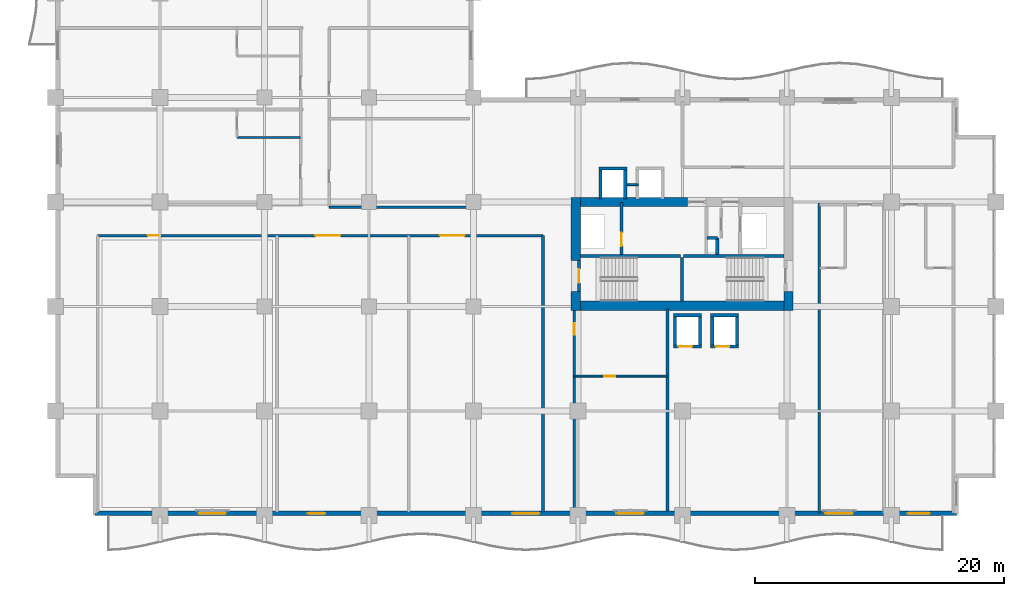
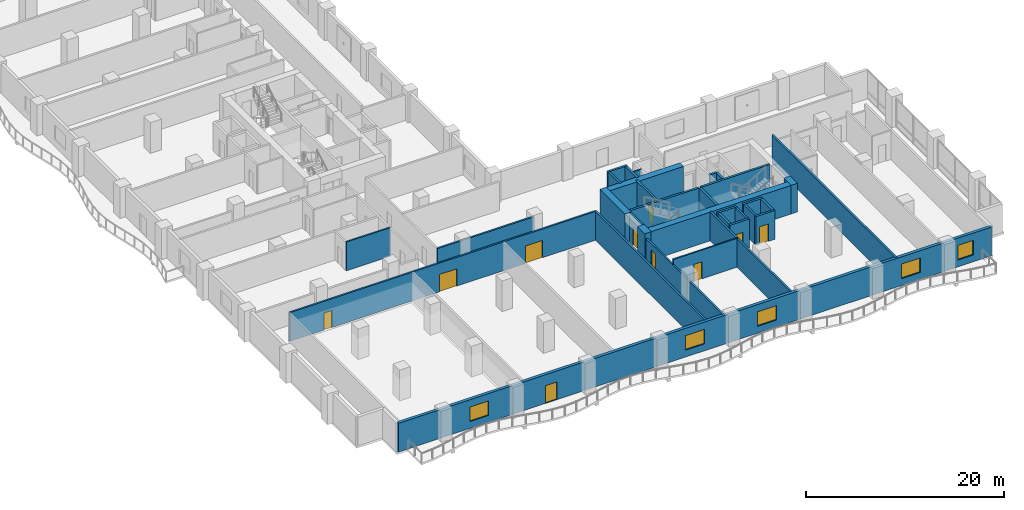
# One storey, part 9 of 24: 33 walls, 10 doors, 5 windows, 15 openings.
"""IFC4 building model written with IfcOpenShell, lengths in metres."""

from ifc_helpers import new_model, si_unit, direction, frame, frame_2d, origin, place, context, subcontext, project, spatial, rectangle, extrude, material, layer, layer_set, type_object, element, fill, save


model = new_model("IFC4")

# Units and contexts
model_context = context("Model", 3, precision=1e-05, world=origin(), true_north=direction((0.0, 1.0)))
body_context = subcontext(model_context, "Body", "Model", "MODEL_VIEW")
ifc_project = project(units=[si_unit("LENGTHUNIT", "METRE"), si_unit("AREAUNIT", "SQUARE_METRE"), si_unit("VOLUMEUNIT", "CUBIC_METRE"), si_unit("PLANEANGLEUNIT", "RADIAN"), si_unit("MASSUNIT", "GRAM", prefix="KILO")], contexts=[model_context])

# Site, building, storey
site_placement = place(None, origin())
site = spatial("IfcSite", under=ifc_project, at=site_placement, CompositionType="ELEMENT")
building_placement = place(site_placement, origin())
building = spatial("IfcBuilding", under=site, at=building_placement, Name="Koriwani Terraces Tower", CompositionType="ELEMENT")
storey_placement = place(building_placement, frame((0.0, 0.0, 149.39990234375)))
storey = spatial("IfcBuildingStorey", under=building, at=storey_placement, Name="L36", CompositionType="ELEMENT", Elevation=149.39990234375)

# Walls
ifc_material_1 = material(Name="Concrete C60/75", Category="concrete")
ifc_layer_1 = layer(ifc_material_1, 0.75, Name="Concrete C60/75")
ifc_layer_set_1 = layer_set([ifc_layer_1], Name="Concrete C60/75")
wall_type_1 = type_object("IfcWallType", Name="WALL_CORE_RC_750", PredefinedType="SHEAR", material=ifc_layer_set_1)
wall_1_placement = place(storey_placement, frame((41.824951171875, 16.5, 0.0), z_axis=(0.0, 0.0, 1.0), x_axis=(0.0, 1.0, 0.0)))
element("IfcWall", 1, at=wall_1_placement, inside=storey, type_object=wall_type_1, Name="L36 East Split Core Shear Wall W1", PredefinedType="SHEAR", context=body_context, shape_type="SweptSolid", body=[
    extrude(rectangle(XDim=1.5, YDim=0.75, at=frame_2d((0.75, 0.0))), origin(), (0.0, 0.0, 1.0), 3.550048828125),
])
wall_2_placement = place(storey_placement, frame((41.824951171875, 20.5, 0.0), z_axis=(0.0, 0.0, 1.0), x_axis=(0.0, 1.0, 0.0)))
element("IfcWall", 2, at=wall_2_placement, inside=storey, type_object=wall_type_1, Name="L36 East Split Core Shear Wall W2", PredefinedType="SHEAR", context=body_context, shape_type="SweptSolid", body=[
    extrude(rectangle(XDim=5.074951171875, YDim=0.75, at=frame_2d((2.53759765625, 0.0))), origin(), (0.0, 0.0, 1.0), 3.550048828125),
])
wall_3_placement = place(storey_placement, frame((58.925048828125, 16.5, 0.0), z_axis=(0.0, 0.0, 1.0), x_axis=(0.0, 1.0, 0.0)))
element("IfcWall", 3, at=wall_3_placement, inside=storey, type_object=wall_type_1, Name="L36 East Split Core Shear Wall E1", PredefinedType="SHEAR", context=body_context, shape_type="SweptSolid", body=[
    extrude(rectangle(XDim=1.5, YDim=0.75, at=frame_2d((0.75, 0.0))), origin(), (0.0, 0.0, 1.0), 3.550048828125),
])
wall_4_placement = place(storey_placement, frame((42.199951171875, 16.875, 0.0), z_axis=(0.0, 0.0, 1.0), x_axis=(1.0, 0.0, 0.0)))
element("IfcWall", 4, at=wall_4_placement, inside=storey, type_object=wall_type_1, Name="L36 East Split Core Shear Wall S1", PredefinedType="SHEAR", context=body_context, shape_type="SweptSolid", body=[
    extrude(rectangle(XDim=16.35009765625, YDim=0.75, at=frame_2d((8.175048828125, 0.0))), origin(), (0.0, 0.0, 1.0), 3.550048828125),
])
wall_5_placement = place(storey_placement, frame((42.199951171875, 25.199951171875, 0.0), z_axis=(0.0, 0.0, 1.0), x_axis=(1.0, 0.0, 0.0)))
element("IfcWall", 5, at=wall_5_placement, inside=storey, type_object=wall_type_1, Name="L36 East Split Core Shear Wall N1", PredefinedType="SHEAR", context=body_context, shape_type="SweptSolid", body=[
    extrude(rectangle(XDim=8.60009765625, YDim=0.75, at=frame_2d((4.300048828125, 0.0))), origin(), (0.0, 0.0, 1.0), 3.550048828125),
])

# Wall, opening, door
ifc_material_2 = material(Name="Autoclaved Cellular Concrete Blockwork", Category="masonry")
ifc_layer_2 = layer(ifc_material_2, 0.199951171875, Name="Autoclaved Cellular Concrete Blockwork")
ifc_layer_set_2 = layer_set([ifc_layer_2], Name="Autoclaved Cellular Concrete Blockwork")
wall_type_2 = type_object("IfcWallType", Name="WALL_CORRIDOR_200", PredefinedType="PARTITIONING", material=ifc_layer_set_2)
wall_6_placement = place(storey_placement, frame((41.699951171875, 0.35009765625, 0.0), z_axis=(0.0, 0.0, 1.0), x_axis=(0.0, 1.0, 0.0)))
wall_6 = element("IfcWall", 6, at=wall_6_placement, inside=storey, type_object=wall_type_2, Name="L36 Interior Wall WREC-EW-L36", PredefinedType="PARTITIONING", context=body_context, shape_type="SweptSolid", body=[
    extrude(rectangle(XDim=16.25, YDim=0.199951171875, at=frame_2d((8.125, 0.0))), origin(), (0.0, 0.0, 1.0), 2.900146484375),
])
opening_1_placement = place(wall_6_placement, frame((14.199951171875, 0.0, 0.0)))
opening_1 = element("IfcOpeningElement", 7, at=opening_1_placement, cuts=wall_6, Name="Opening D-06", PredefinedType="OPENING", context=body_context, shape_type="SweptSolid", body=[
    extrude(rectangle(XDim=0.919921875, YDim=2.10009765625, at=frame_2d((0.4599609375, 1.050048828125))), frame((0.0, 0.10986328125, 0.0), z_axis=(0.0, -1.0, 0.0), x_axis=(1.0, 0.0, 0.0)), (0.0, 0.0, 1.0), 0.219970703125),
])
ifc_material_3 = material(Name="Architectural Oak Fire Door", Category="wood")
door_type_1 = type_object("IfcDoorType", Name="DOOR_ROOM_INT_920X2100", OperationType="NOTDEFINED", PredefinedType="DOOR", material=ifc_material_3)
door_1_placement = place(opening_1_placement, origin())
door_1 = element("IfcDoor", 8, at=door_1_placement, inside=storey, type_object=door_type_1, Name="L36 Housekeeping and Linen Room Door", OperationType="SINGLE_SWING_RIGHT", OverallHeight=2.10009765625, OverallWidth=0.919921875, PredefinedType="DOOR", context=body_context, shape_type="SweptSolid", body=[
    extrude(rectangle(XDim=0.919921875, YDim=2.10009765625, at=frame_2d((0.4599609375, 1.050048828125))), frame((0.0, 0.02490234375, 0.0), z_axis=(0.0, -1.0, 0.0), x_axis=(1.0, 0.0, 0.0)), (0.0, 0.0, 1.0), 0.050048828125),
])
fill(opening_1, door_1)

# Wall
wall_7_placement = place(storey_placement, frame((22.0, 24.800048828125, 0.0), z_axis=(0.0, 0.0, 1.0), x_axis=(1.0, 0.0, 0.0)))
element("IfcWall", 9, at=wall_7_placement, inside=storey, type_object=wall_type_2, Name="L36 Interior Wall WIC2-S-L36", PredefinedType="PARTITIONING", context=body_context, shape_type="SweptSolid", body=[
    extrude(rectangle(XDim=11.300048828125, YDim=0.199951171875, at=frame_2d((5.64990234375, 0.0))), origin(), (0.0, 0.0, 1.0), 3.550048828125),
])

# Wall, openings, doors
wall_8_placement = place(storey_placement, frame((3.39990234375, 22.5, 0.0), z_axis=(0.0, 0.0, 1.0), x_axis=(1.0, 0.0, 0.0)))
wall_8 = element("IfcWall", 10, at=wall_8_placement, inside=storey, type_object=wall_type_2, Name="L36 Interior Wall WC2CLB-L36", PredefinedType="PARTITIONING", context=body_context, shape_type="SweptSolid", body=[
    extrude(rectangle(XDim=35.800048828125, YDim=0.199951171875, at=frame_2d((17.89990234375, 0.0))), origin(), (0.0, 0.0, 1.0), 3.550048828125),
])
opening_2_placement = place(wall_8_placement, frame((4.0, 0.0, 0.0)))
opening_2 = element("IfcOpeningElement", 11, at=opening_2_placement, cuts=wall_8, Name="Opening D-06", PredefinedType="OPENING", context=body_context, shape_type="SweptSolid", body=[
    extrude(rectangle(XDim=0.919921875, YDim=2.10009765625, at=frame_2d((0.4599609375, 1.050048828125))), frame((0.0, 0.10986328125, 0.0), z_axis=(0.0, -1.0, 0.0), x_axis=(1.0, 0.0, 0.0)), (0.0, 0.0, 1.0), 0.219970703125),
])
opening_3_placement = place(wall_8_placement, frame((17.5, 0.0, 0.0)))
opening_3 = element("IfcOpeningElement", 12, at=opening_3_placement, cuts=wall_8, Name="Opening D-02", PredefinedType="OPENING", context=body_context, shape_type="SweptSolid", body=[
    extrude(rectangle(XDim=2.0, YDim=2.14990234375, at=frame_2d((1.0, 1.074951171875))), frame((0.0, 0.10986328125, 0.0), z_axis=(0.0, -1.0, 0.0), x_axis=(1.0, 0.0, 0.0)), (0.0, 0.0, 1.0), 0.219970703125),
])
opening_4_placement = place(wall_8_placement, frame((27.5, 0.0, 0.0)))
opening_4 = element("IfcOpeningElement", 13, at=opening_4_placement, cuts=wall_8, Name="Opening D-02", PredefinedType="OPENING", context=body_context, shape_type="SweptSolid", body=[
    extrude(rectangle(XDim=2.0, YDim=2.14990234375, at=frame_2d((1.0, 1.074951171875))), frame((0.0, 0.10986328125, 0.0), z_axis=(0.0, -1.0, 0.0), x_axis=(1.0, 0.0, 0.0)), (0.0, 0.0, 1.0), 0.219970703125),
])
ifc_material_4 = material(Name="Anodised Bronze Aluminium", Category="aluminium")
door_type_2 = type_object("IfcDoorType", Name="DOOR_ENTRANCE_DOUBLE_2000X2400", OperationType="NOTDEFINED", PredefinedType="DOOR", material=ifc_material_4)
door_2_placement = place(opening_3_placement, origin())
door_2 = element("IfcDoor", 14, at=door_2_placement, inside=storey, type_object=door_type_2, Name="L36 Sky Club Lounge Door", OperationType="SINGLE_SWING_LEFT", OverallHeight=2.14990234375, OverallWidth=2.0, PredefinedType="DOOR", context=body_context, shape_type="SweptSolid", body=[
    extrude(rectangle(XDim=2.0, YDim=2.14990234375, at=frame_2d((1.0, 1.074951171875))), frame((0.0, 0.02490234375, 0.0), z_axis=(0.0, -1.0, 0.0), x_axis=(1.0, 0.0, 0.0)), (0.0, 0.0, 1.0), 0.050048828125),
])
fill(opening_3, door_2)
door_3_placement = place(opening_4_placement, origin())
door_3 = element("IfcDoor", 15, at=door_3_placement, inside=storey, type_object=door_type_2, Name="L36 Private Dining Room Door", OperationType="SINGLE_SWING_LEFT", OverallHeight=2.14990234375, OverallWidth=2.0, PredefinedType="DOOR", context=body_context, shape_type="SweptSolid", body=[
    extrude(rectangle(XDim=2.0, YDim=2.14990234375, at=frame_2d((1.0, 1.074951171875))), frame((0.0, 0.02490234375, 0.0), z_axis=(0.0, -1.0, 0.0), x_axis=(1.0, 0.0, 0.0)), (0.0, 0.0, 1.0), 0.050048828125),
])
fill(opening_4, door_3)
door_4_placement = place(opening_2_placement, origin())
door_4 = element("IfcDoor", 16, at=door_4_placement, inside=storey, type_object=door_type_1, Name="L36 Wine Tasting Cellar Door", OperationType="SINGLE_SWING_RIGHT", OverallHeight=2.10009765625, OverallWidth=0.919921875, PredefinedType="DOOR", context=body_context, shape_type="SweptSolid", body=[
    extrude(rectangle(XDim=0.919921875, YDim=2.10009765625, at=frame_2d((0.4599609375, 1.050048828125))), frame((0.0, 0.02490234375, 0.0), z_axis=(0.0, -1.0, 0.0), x_axis=(1.0, 0.0, 0.0)), (0.0, 0.0, 1.0), 0.050048828125),
])
fill(opening_2, door_4)

# Walls
ifc_layer_3 = layer(ifc_material_2, 0.219970703125, Name="Autoclaved Cellular Concrete Blockwork")
ifc_layer_set_3 = layer_set([ifc_layer_3], Name="Autoclaved Cellular Concrete Blockwork")
wall_type_3 = type_object("IfcWallType", Name="WALL_DEMISING_220", PredefinedType="PARTITIONING", material=ifc_layer_set_3)
wall_9_placement = place(storey_placement, frame((49.199951171875, 0.35009765625, 0.0), z_axis=(0.0, 0.0, 1.0), x_axis=(0.0, 1.0, 0.0)))
element("IfcWall", 17, at=wall_9_placement, inside=storey, type_object=wall_type_3, Name="L36 Interior Wall WREC-EE-L36", PredefinedType="PARTITIONING", context=body_context, shape_type="SweptSolid", body=[
    extrude(rectangle(XDim=16.25, YDim=0.219970703125, at=frame_2d((8.125, 0.0))), origin(), (0.0, 0.0, 1.0), 3.550048828125),
])
wall_10_placement = place(storey_placement, frame((39.199951171875, 0.300048828125, 0.0), z_axis=(0.0, 0.0, 1.0), x_axis=(0.0, 1.0, 0.0)))
element("IfcWall", 18, at=wall_10_placement, inside=storey, type_object=wall_type_3, Name="L36 Interior Wall WC2CLBE-L36", PredefinedType="PARTITIONING", context=body_context, shape_type="SweptSolid", body=[
    extrude(rectangle(XDim=22.199951171875, YDim=0.219970703125, at=frame_2d((11.10009765625, 0.0))), origin(), (0.0, 0.0, 1.0), 3.550048828125),
])
wall_11_placement = place(storey_placement, frame((61.39990234375, 0.199951171875, 0.0), z_axis=(0.0, 0.0, 1.0), x_axis=(0.0, 1.0, 0.0)))
element("IfcWall", 19, at=wall_11_placement, inside=storey, type_object=wall_type_3, Name="L36 Interior Wall WDEM-L36-SE-0", PredefinedType="PARTITIONING", context=body_context, shape_type="SweptSolid", body=[
    extrude(rectangle(XDim=24.97998046875, YDim=0.219970703125, at=frame_2d((12.489990234375, 0.0))), origin(), (0.0, 0.0, 1.0), 3.550048828125),
])

# Wall, openings, door, windows
ifc_material_5 = material(Name="Concrete C50/60", Category="concrete")
ifc_layer_4 = layer(ifc_material_5, 0.35009765625, Name="Concrete C50/60")
ifc_layer_set_4 = layer_set([ifc_layer_4], Name="Concrete C50/60")
wall_type_4 = type_object("IfcWallType", Name="WALL_EXT_BRUTALIST_350", PredefinedType="STANDARD", material=ifc_layer_set_4)
wall_12_placement = place(storey_placement, frame((72.425048828125, 0.175048828125, 0.0), z_axis=(0.0, 0.0, 1.0), x_axis=(-1.0, 0.0, 0.0)))
wall_12 = element("IfcWall", 20, at=wall_12_placement, inside=storey, type_object=wall_type_4, Name="L36 Fair-Faced Brutalist Exterior Wall (S)", PredefinedType="STANDARD", context=body_context, shape_type="SweptSolid", body=[
    extrude(rectangle(XDim=69.25, YDim=0.35009765625, at=frame_2d((34.625, 0.0))), origin(), (0.0, 0.0, 1.0), 3.550048828125),
])
opening_5_placement = place(wall_12_placement, frame((50.72509765625, 0.0, 0.0)))
opening_5 = element("IfcOpeningElement", 21, at=opening_5_placement, cuts=wall_12, Name="Opening D-09", PredefinedType="OPENING", context=body_context, shape_type="SweptSolid", body=[
    extrude(rectangle(XDim=1.39990234375, YDim=2.199951171875, at=frame_2d((0.699951171875, 1.10009765625))), frame((0.0, 0.18505859375, 0.0), z_axis=(0.0, -1.0, 0.0), x_axis=(1.0, 0.0, 0.0)), (0.0, 0.0, 1.0), 0.3701171875),
])
opening_6_placement = place(wall_12_placement, frame((58.72509765625, 0.0, 0.85009765625)))
opening_6 = element("IfcOpeningElement", 22, at=opening_6_placement, cuts=wall_12, Name="Opening W-01", PredefinedType="OPENING", context=body_context, shape_type="SweptSolid", body=[
    extrude(rectangle(XDim=2.199951171875, YDim=1.800048828125, at=frame_2d((1.10009765625, 0.89990234375))), frame((0.0, 0.18505859375, 0.0), z_axis=(0.0, -1.0, 0.0), x_axis=(1.0, 0.0, 0.0)), (0.0, 0.0, 1.0), 0.3701171875),
])
opening_7_placement = place(wall_12_placement, frame((33.52490234375, 0.0, 0.85009765625)))
opening_7 = element("IfcOpeningElement", 23, at=opening_7_placement, cuts=wall_12, Name="Opening W-01", PredefinedType="OPENING", context=body_context, shape_type="SweptSolid", body=[
    extrude(rectangle(XDim=2.199951171875, YDim=1.800048828125, at=frame_2d((1.10009765625, 0.89990234375))), frame((0.0, 0.18505859375, 0.0), z_axis=(0.0, -1.0, 0.0), x_axis=(1.0, 0.0, 0.0)), (0.0, 0.0, 1.0), 0.3701171875),
])
opening_8_placement = place(wall_12_placement, frame((25.125, 0.0, 0.85009765625)))
opening_8 = element("IfcOpeningElement", 24, at=opening_8_placement, cuts=wall_12, Name="Opening W-01", PredefinedType="OPENING", context=body_context, shape_type="SweptSolid", body=[
    extrude(rectangle(XDim=2.199951171875, YDim=1.800048828125, at=frame_2d((1.10009765625, 0.89990234375))), frame((0.0, 0.18505859375, 0.0), z_axis=(0.0, -1.0, 0.0), x_axis=(1.0, 0.0, 0.0)), (0.0, 0.0, 1.0), 0.3701171875),
])
opening_9_placement = place(wall_12_placement, frame((8.324951171875, 0.0, 0.85009765625)))
opening_9 = element("IfcOpeningElement", 25, at=opening_9_placement, cuts=wall_12, Name="Opening W-01", PredefinedType="OPENING", context=body_context, shape_type="SweptSolid", body=[
    extrude(rectangle(XDim=2.199951171875, YDim=1.800048828125, at=frame_2d((1.10009765625, 0.89990234375))), frame((0.0, 0.18505859375, 0.0), z_axis=(0.0, -1.0, 0.0), x_axis=(1.0, 0.0, 0.0)), (0.0, 0.0, 1.0), 0.3701171875),
])
opening_10_placement = place(wall_12_placement, frame((2.125, 0.0, 0.85009765625)))
opening_10 = element("IfcOpeningElement", 26, at=opening_10_placement, cuts=wall_12, Name="Opening W-04", PredefinedType="OPENING", context=body_context, shape_type="SweptSolid", body=[
    extrude(rectangle(XDim=1.800048828125, YDim=1.800048828125, at=frame_2d((0.89990234375, 0.89990234375))), frame((0.0, 0.18505859375, 0.0), z_axis=(0.0, -1.0, 0.0), x_axis=(1.0, 0.0, 0.0)), (0.0, 0.0, 1.0), 0.3701171875),
])
door_type_3 = type_object("IfcDoorType", Name="DOOR_BALCONY_GLAZED_1400X2200", OperationType="NOTDEFINED", PredefinedType="DOOR", material=ifc_material_4)
door_5_placement = place(opening_5_placement, origin())
door_5 = element("IfcDoor", 27, at=door_5_placement, inside=storey, type_object=door_type_3, Name="L36 South Balcony Glazed Door", OperationType="SINGLE_SWING_LEFT", OverallHeight=2.199951171875, OverallWidth=1.39990234375, PredefinedType="DOOR", context=body_context, shape_type="SweptSolid", body=[
    extrude(rectangle(XDim=1.39990234375, YDim=2.199951171875, at=frame_2d((0.699951171875, 1.10009765625))), frame((0.0, 0.02490234375, 0.0), z_axis=(0.0, -1.0, 0.0), x_axis=(1.0, 0.0, 0.0)), (0.0, 0.0, 1.0), 0.050048828125),
])
fill(opening_5, door_5)
ifc_material_6 = material(Name="Tempered Laminated Low-E Glass", Category="glass")
window_type_1 = type_object("IfcWindowType", Name="WIN_HOTEL_STD_2200X1800", PartitioningType="DOUBLE_PANEL_VERTICAL", PredefinedType="WINDOW", material=ifc_material_6)
window_1_placement = place(opening_6_placement, origin())
window_1 = element("IfcWindow", 28, at=window_1_placement, inside=storey, type_object=window_type_1, Name="L36 Exterior Window (S-3)", OverallHeight=1.800048828125, OverallWidth=2.199951171875, PartitioningType="SINGLE_PANEL", PredefinedType="WINDOW", context=body_context, shape_type="SweptSolid", body=[
    extrude(rectangle(XDim=2.199951171875, YDim=1.800048828125, at=frame_2d((1.10009765625, 0.89990234375))), frame((0.0, 0.030029296875, 0.0), z_axis=(0.0, -1.0, 0.0), x_axis=(1.0, 0.0, 0.0)), (0.0, 0.0, 1.0), 0.06005859375),
])
fill(opening_6, window_1)
window_2_placement = place(opening_7_placement, origin())
window_2 = element("IfcWindow", 29, at=window_2_placement, inside=storey, type_object=window_type_1, Name="L36 Exterior Window (S-12)", OverallHeight=1.800048828125, OverallWidth=2.199951171875, PartitioningType="SINGLE_PANEL", PredefinedType="WINDOW", context=body_context, shape_type="SweptSolid", body=[
    extrude(rectangle(XDim=2.199951171875, YDim=1.800048828125, at=frame_2d((1.10009765625, 0.89990234375))), frame((0.0, 0.030029296875, 0.0), z_axis=(0.0, -1.0, 0.0), x_axis=(1.0, 0.0, 0.0)), (0.0, 0.0, 1.0), 0.06005859375),
])
fill(opening_7, window_2)
window_3_placement = place(opening_8_placement, origin())
window_3 = element("IfcWindow", 30, at=window_3_placement, inside=storey, type_object=window_type_1, Name="L36 Exterior Window (S-15)", OverallHeight=1.800048828125, OverallWidth=2.199951171875, PartitioningType="SINGLE_PANEL", PredefinedType="WINDOW", context=body_context, shape_type="SweptSolid", body=[
    extrude(rectangle(XDim=2.199951171875, YDim=1.800048828125, at=frame_2d((1.10009765625, 0.89990234375))), frame((0.0, 0.030029296875, 0.0), z_axis=(0.0, -1.0, 0.0), x_axis=(1.0, 0.0, 0.0)), (0.0, 0.0, 1.0), 0.06005859375),
])
fill(opening_8, window_3)
window_4_placement = place(opening_9_placement, origin())
window_4 = element("IfcWindow", 31, at=window_4_placement, inside=storey, type_object=window_type_1, Name="L36 Exterior Window (S-21)", OverallHeight=1.800048828125, OverallWidth=2.199951171875, PartitioningType="SINGLE_PANEL", PredefinedType="WINDOW", context=body_context, shape_type="SweptSolid", body=[
    extrude(rectangle(XDim=2.199951171875, YDim=1.800048828125, at=frame_2d((1.10009765625, 0.89990234375))), frame((0.0, 0.030029296875, 0.0), z_axis=(0.0, -1.0, 0.0), x_axis=(1.0, 0.0, 0.0)), (0.0, 0.0, 1.0), 0.06005859375),
])
fill(opening_9, window_4)
window_type_2 = type_object("IfcWindowType", Name="WIN_RES_BED_1800X1800", PartitioningType="DOUBLE_PANEL_VERTICAL", PredefinedType="WINDOW", material=ifc_material_6)
window_5_placement = place(opening_10_placement, origin())
window_5 = element("IfcWindow", 32, at=window_5_placement, inside=storey, type_object=window_type_2, Name="L36 Exterior Window (S-R49)", OverallHeight=1.800048828125, OverallWidth=1.800048828125, PartitioningType="SINGLE_PANEL", PredefinedType="WINDOW", context=body_context, shape_type="SweptSolid", body=[
    extrude(rectangle(XDim=1.800048828125, YDim=1.800048828125, at=frame_2d((0.89990234375, 0.89990234375))), frame((0.0, 0.030029296875, 0.0), z_axis=(0.0, -1.0, 0.0), x_axis=(1.0, 0.0, 0.0)), (0.0, 0.0, 1.0), 0.06005859375),
])
fill(opening_10, window_5)

# Walls
ifc_material_7 = material(Name="Fire-Rated Acoustic Gypsum Partition", Category="masonry")
ifc_layer_5 = layer(ifc_material_7, 0.179931640625, Name="Fire-Rated Acoustic Gypsum Partition")
ifc_layer_set_5 = layer_set([ifc_layer_5], Name="Fire-Rated Acoustic Gypsum Partition")
wall_type_5 = type_object("IfcWallType", Name="WALL_PLUMBING_180", PredefinedType="PLUMBINGWALL", material=ifc_layer_set_5)
wall_13_placement = place(storey_placement, frame((14.60009765625, 30.39990234375, 0.0), z_axis=(0.0, 0.0, 1.0), x_axis=(1.0, 0.0, 0.0)))
element("IfcWall", 33, at=wall_13_placement, inside=storey, type_object=wall_type_5, Name="L36 Interior Wall WBTH2-L36-NW-0", PredefinedType="PLUMBINGWALL", context=body_context, shape_type="SweptSolid", body=[
    extrude(rectangle(XDim=5.099853515625, YDim=0.179931640625, at=frame_2d((2.5498046875, 0.0))), origin(), (0.0, 0.0, 1.0), 3.550048828125),
])
ifc_material_8 = material(Name="Concrete C40/50", Category="concrete")
ifc_layer_6 = layer(ifc_material_8, 0.25, Name="Concrete C40/50")
ifc_layer_set_6 = layer_set([ifc_layer_6], Name="Concrete C40/50")
wall_type_6 = type_object("IfcWallType", Name="WALL_SHAFT_RATED_250", PredefinedType="SOLIDWALL", material=ifc_layer_set_6)
for number, where, z_axis, x_axis, name in (
    (34, (42.199951171875, 20.875, 0.0), (0.0, 0.0, 1.0), (1.0, 0.0, 0.0), "L36 East Split Core Web Wall MID1"),
    (35, (50.5, 20.875, 0.0), (0.0, 0.0, 1.0), (1.0, 0.0, 0.0), "L36 East Split Core Web Wall MID2"),
):
    element("IfcWall", number, at=place(storey_placement, frame(where, z_axis=z_axis, x_axis=x_axis)), inside=storey, type_object=wall_type_6, Name=name, PredefinedType="SOLIDWALL", context=body_context, shape_type="SweptSolid", body=[
        extrude(rectangle(XDim=8.050048828125, YDim=0.25, at=frame_2d((4.02490234375, 0.0))), origin(), (0.0, 0.0, 1.0), 3.550048828125),
    ])
wall_14_placement = place(storey_placement, frame((50.375, 17.25, 0.0), z_axis=(0.0, 0.0, 1.0), x_axis=(0.0, 1.0, 0.0)))
element("IfcWall", 36, at=wall_14_placement, inside=storey, type_object=wall_type_6, Name="L36 East Split Core Stair Dividing Wall", PredefinedType="SOLIDWALL", context=body_context, shape_type="SweptSolid", body=[
    extrude(rectangle(XDim=3.5, YDim=0.25, at=frame_2d((1.75, 0.0))), origin(), (0.0, 0.0, 1.0), 3.550048828125),
])

# Wall, opening, door
wall_15_placement = place(storey_placement, frame((42.074951171875, 18.0, 0.0), z_axis=(0.0, 0.0, 1.0), x_axis=(0.0, 1.0, 0.0)))
wall_15 = element("IfcWall", 37, at=wall_15_placement, inside=storey, type_object=wall_type_6, Name="L36 Interior Wall WIN-CE-L36-STW", PredefinedType="SOLIDWALL", context=body_context, shape_type="SweptSolid", body=[
    extrude(rectangle(XDim=2.5, YDim=0.25, at=frame_2d((1.25, 0.0))), origin(), (0.0, 0.0, 1.0), 3.550048828125),
])
opening_11_placement = place(wall_15_placement, frame((0.699951171875, 0.0, 0.0)))
opening_11 = element("IfcOpeningElement", 38, at=opening_11_placement, cuts=wall_15, Name="Opening D-03", PredefinedType="OPENING", context=body_context, shape_type="SweptSolid", body=[
    extrude(rectangle(XDim=1.10009765625, YDim=2.14990234375, at=frame_2d((0.550048828125, 1.074951171875))), frame((0.0, 0.135009765625, 0.0), z_axis=(0.0, -1.0, 0.0), x_axis=(1.0, 0.0, 0.0)), (0.0, 0.0, 1.0), 0.27001953125),
])
ifc_material_9 = material(Name="Steel ASTM A572 Grade 50", Category="steel")
door_type_4 = type_object("IfcDoorType", Name="DOOR_STAIR_FIRE_1100X2150", OperationType="NOTDEFINED", PredefinedType="DOOR", material=ifc_material_9)
door_6_placement = place(opening_11_placement, origin())
door_6 = element("IfcDoor", 39, at=door_6_placement, inside=storey, type_object=door_type_4, Name="L36 Exit Stair ST-E1 Door", OperationType="SINGLE_SWING_LEFT", OverallHeight=2.14990234375, OverallWidth=1.10009765625, PredefinedType="DOOR", context=body_context, shape_type="SweptSolid", body=[
    extrude(rectangle(XDim=1.10009765625, YDim=2.14990234375, at=frame_2d((0.550048828125, 1.074951171875))), frame((0.0, 0.02490234375, 0.0), z_axis=(0.0, -1.0, 0.0), x_axis=(1.0, 0.0, 0.0)), (0.0, 0.0, 1.0), 0.050048828125),
])
fill(opening_11, door_6)

wall_16_placement = place(storey_placement, frame((45.5, 21.0, 0.0), z_axis=(0.0, 0.0, 1.0), x_axis=(0.0, 1.0, 0.0)))
wall_16 = element("IfcWall", 40, at=wall_16_placement, inside=storey, type_object=wall_type_6, Name="L36 Interior Wall WIN-CE-L36-FE", PredefinedType="SOLIDWALL", context=body_context, shape_type="SweptSolid", body=[
    extrude(rectangle(XDim=4.14990234375, YDim=0.25, at=frame_2d((2.074951171875, 0.0))), origin(), (0.0, 0.0, 1.0), 3.550048828125),
])
opening_12_placement = place(wall_16_placement, frame((0.64990234375, 0.0, 0.0)))
opening_12 = element("IfcOpeningElement", 41, at=opening_12_placement, cuts=wall_16, Name="Opening LD-01", PredefinedType="OPENING", context=body_context, shape_type="SweptSolid", body=[
    extrude(rectangle(XDim=1.10009765625, YDim=2.14990234375, at=frame_2d((0.550048828125, 1.074951171875))), frame((0.0, 0.135009765625, 0.0), z_axis=(0.0, -1.0, 0.0), x_axis=(1.0, 0.0, 0.0)), (0.0, 0.0, 1.0), 0.27001953125),
])
door_type_5 = type_object("IfcDoorType", Name="DOOR_LIFT_LANDING_1100X2200", OperationType="NOTDEFINED", PredefinedType="DOOR", material=ifc_material_9)
door_7_placement = place(opening_12_placement, origin())
door_7 = element("IfcDoor", 42, at=door_7_placement, inside=storey, type_object=door_type_5, Name="L36 Firefighting Lift FE-02 Landing Door", OperationType="SLIDING_TO_LEFT", OverallHeight=2.14990234375, OverallWidth=1.10009765625, PredefinedType="DOOR", context=body_context, shape_type="SweptSolid", body=[
    extrude(rectangle(XDim=1.10009765625, YDim=2.14990234375, at=frame_2d((0.550048828125, 1.074951171875))), frame((0.0, 0.02490234375, 0.0), z_axis=(0.0, -1.0, 0.0), x_axis=(1.0, 0.0, 0.0)), (0.0, 0.0, 1.0), 0.050048828125),
])
fill(opening_12, door_7)

# Walls
wall_17_placement = place(storey_placement, frame((53.199951171875, 21.0, 0.0), z_axis=(0.0, 0.0, 1.0), x_axis=(0.0, 1.0, 0.0)))
element("IfcWall", 43, at=wall_17_placement, inside=storey, type_object=wall_type_6, Name="L36 Interior Wall WIN-CE-L36-RS1", PredefinedType="SOLIDWALL", context=body_context, shape_type="SweptSolid", body=[
    extrude(rectangle(XDim=1.300048828125, YDim=0.25, at=frame_2d((0.64990234375, 0.0))), origin(), (0.0, 0.0, 1.0), 3.550048828125),
])
wall_18_placement = place(storey_placement, frame((52.360107421875, 22.300048828125, 0.0), z_axis=(0.0, 0.0, 1.0), x_axis=(1.0, 0.0, 0.0)))
element("IfcWall", 44, at=wall_18_placement, inside=storey, type_object=wall_type_6, Name="L36 Interior Wall WIN-CE-L36-RS2", PredefinedType="SOLIDWALL", context=body_context, shape_type="SweptSolid", body=[
    extrude(rectangle(XDim=0.83984375, YDim=0.25, at=frame_2d((0.419921875, 0.0))), origin(), (0.0, 0.0, 1.0), 3.550048828125),
])

# Wall, opening, door
wall_19_placement = place(storey_placement, frame((49.675048828125, 13.60009765625, 0.0), z_axis=(0.0, 0.0, 1.0), x_axis=(1.0, 0.0, 0.0)))
wall_19 = element("IfcWall", 45, at=wall_19_placement, inside=storey, type_object=wall_type_6, Name="L36 Interior Wall WIN-LF-PE-M3-L36-F", PredefinedType="SOLIDWALL", context=body_context, shape_type="SweptSolid", body=[
    extrude(rectangle(XDim=2.25, YDim=0.25, at=frame_2d((1.125, 0.0))), origin(), (0.0, 0.0, 1.0), 3.550048828125),
])
opening_13_placement = place(wall_19_placement, frame((0.39990234375, 0.0, 0.0)))
opening_13 = element("IfcOpeningElement", 46, at=opening_13_placement, cuts=wall_19, Name="Opening LD-01", PredefinedType="OPENING", context=body_context, shape_type="SweptSolid", body=[
    extrude(rectangle(XDim=1.10009765625, YDim=2.14990234375, at=frame_2d((0.550048828125, 1.074951171875))), frame((0.0, 0.135009765625, 0.0), z_axis=(0.0, -1.0, 0.0), x_axis=(1.0, 0.0, 0.0)), (0.0, 0.0, 1.0), 0.27001953125),
])
door_8_placement = place(opening_13_placement, origin())
door_8 = element("IfcDoor", 47, at=door_8_placement, inside=storey, type_object=door_type_5, Name="L36 Passenger Lift PE-M3 Landing Door", OperationType="SLIDING_TO_LEFT", OverallHeight=2.14990234375, OverallWidth=1.10009765625, PredefinedType="DOOR", context=body_context, shape_type="SweptSolid", body=[
    extrude(rectangle(XDim=1.10009765625, YDim=2.14990234375, at=frame_2d((0.550048828125, 1.074951171875))), frame((0.0, 0.02490234375, 0.0), z_axis=(0.0, -1.0, 0.0), x_axis=(1.0, 0.0, 0.0)), (0.0, 0.0, 1.0), 0.050048828125),
])
fill(opening_13, door_8)

# Walls
for number, where, z_axis, x_axis, name in (
    (48, (49.675048828125, 16.10009765625, 0.0), (0.0, 0.0, 1.0), (1.0, 0.0, 0.0), "L36 Interior Wall WIN-LF-PE-M3-L36-B"),
    (49, (49.800048828125, 13.72509765625, 0.0), (0.0, 0.0, 1.0), (0.0, 1.0, 0.0), "L36 Interior Wall WIN-LF-PE-M3-L36-W"),
    (50, (51.800048828125, 13.72509765625, 0.0), (0.0, 0.0, 1.0), (0.0, 1.0, 0.0), "L36 Interior Wall WIN-LF-PE-M3-L36-E"),
):
    element("IfcWall", number, at=place(storey_placement, frame(where, z_axis=z_axis, x_axis=x_axis)), inside=storey, type_object=wall_type_6, Name=name, PredefinedType="SOLIDWALL", context=body_context, shape_type="SweptSolid", body=[
        extrude(rectangle(XDim=2.25, YDim=0.25, at=frame_2d((1.125, 0.0))), origin(), (0.0, 0.0, 1.0), 3.550048828125),
    ])

# Wall, opening, door
wall_20_placement = place(storey_placement, frame((52.675048828125, 13.60009765625, 0.0), z_axis=(0.0, 0.0, 1.0), x_axis=(1.0, 0.0, 0.0)))
wall_20 = element("IfcWall", 51, at=wall_20_placement, inside=storey, type_object=wall_type_6, Name="L36 Interior Wall WIN-LF-PE-M4-L36-F", PredefinedType="SOLIDWALL", context=body_context, shape_type="SweptSolid", body=[
    extrude(rectangle(XDim=2.25, YDim=0.25, at=frame_2d((1.125, 0.0))), origin(), (0.0, 0.0, 1.0), 3.550048828125),
])
opening_14_placement = place(wall_20_placement, frame((0.39990234375, 0.0, 0.0)))
opening_14 = element("IfcOpeningElement", 52, at=opening_14_placement, cuts=wall_20, Name="Opening LD-01", PredefinedType="OPENING", context=body_context, shape_type="SweptSolid", body=[
    extrude(rectangle(XDim=1.10009765625, YDim=2.14990234375, at=frame_2d((0.550048828125, 1.074951171875))), frame((0.0, 0.135009765625, 0.0), z_axis=(0.0, -1.0, 0.0), x_axis=(1.0, 0.0, 0.0)), (0.0, 0.0, 1.0), 0.27001953125),
])
door_9_placement = place(opening_14_placement, origin())
door_9 = element("IfcDoor", 53, at=door_9_placement, inside=storey, type_object=door_type_5, Name="L36 Passenger Lift PE-M4 Landing Door", OperationType="SLIDING_TO_LEFT", OverallHeight=2.14990234375, OverallWidth=1.10009765625, PredefinedType="DOOR", context=body_context, shape_type="SweptSolid", body=[
    extrude(rectangle(XDim=1.10009765625, YDim=2.14990234375, at=frame_2d((0.550048828125, 1.074951171875))), frame((0.0, 0.02490234375, 0.0), z_axis=(0.0, -1.0, 0.0), x_axis=(1.0, 0.0, 0.0)), (0.0, 0.0, 1.0), 0.050048828125),
])
fill(opening_14, door_9)

# Walls
for number, where, z_axis, x_axis, name in (
    (54, (52.675048828125, 16.10009765625, 0.0), (0.0, 0.0, 1.0), (1.0, 0.0, 0.0), "L36 Interior Wall WIN-LF-PE-M4-L36-B"),
    (55, (52.800048828125, 13.72509765625, 0.0), (0.0, 0.0, 1.0), (0.0, 1.0, 0.0), "L36 Interior Wall WIN-LF-PE-M4-L36-W"),
    (56, (54.800048828125, 13.72509765625, 0.0), (0.0, 0.0, 1.0), (0.0, 1.0, 0.0), "L36 Interior Wall WIN-LF-PE-M4-L36-E"),
    (57, (43.675048828125, 27.89990234375, 0.0), (0.0, 0.0, 1.0), (1.0, 0.0, 0.0), "L36 Interior Wall WIN-LF-PE-H3-L36-F"),
):
    element("IfcWall", number, at=place(storey_placement, frame(where, z_axis=z_axis, x_axis=x_axis)), inside=storey, type_object=wall_type_6, Name=name, PredefinedType="SOLIDWALL", context=body_context, shape_type="SweptSolid", body=[
        extrude(rectangle(XDim=2.25, YDim=0.25, at=frame_2d((1.125, 0.0))), origin(), (0.0, 0.0, 1.0), 3.550048828125),
    ])
for number, where, z_axis, x_axis, name in (
    (58, (43.800048828125, 25.449951171875, 0.0), (0.0, 0.0, 1.0), (0.0, 1.0, 0.0), "L36 Interior Wall WIN-LF-PE-H3-L36-W"),
    (59, (45.800048828125, 25.449951171875, 0.0), (0.0, 0.0, 1.0), (0.0, 1.0, 0.0), "L36 Interior Wall WIN-LF-PE-H3-L36-E"),
):
    element("IfcWall", number, at=place(storey_placement, frame(where, z_axis=z_axis, x_axis=x_axis)), inside=storey, type_object=wall_type_6, Name=name, PredefinedType="SOLIDWALL", context=body_context, shape_type="SweptSolid", body=[
        extrude(rectangle(XDim=2.324951171875, YDim=0.25, at=frame_2d((1.16259765625, 0.0))), origin(), (0.0, 0.0, 1.0), 3.550048828125),
    ])
ifc_layer_7 = layer(ifc_material_7, 0.159912109375, Name="Fire-Rated Acoustic Gypsum Partition")
ifc_layer_set_7 = layer_set([ifc_layer_7], Name="Fire-Rated Acoustic Gypsum Partition")
wall_type_7 = type_object("IfcWallType", Name="WALL_SUITE_160", PredefinedType="PARTITIONING", material=ifc_layer_set_7)
wall_21_placement = place(storey_placement, frame((45.9599609375, 26.60009765625, 0.0), z_axis=(0.0, 0.0, 1.0), x_axis=(1.0, 0.0, 0.0)))
element("IfcWall", 60, at=wall_21_placement, inside=storey, type_object=wall_type_7, Name="L36 Interior Wall WIN-LF-PEH34-MID-L36", PredefinedType="PARTITIONING", context=body_context, shape_type="SweptSolid", body=[
    extrude(rectangle(XDim=0.880126953125, YDim=0.159912109375, at=frame_2d((0.43994140625, 0.0))), origin(), (0.0, 0.0, 1.0), 3.550048828125),
])

# Wall, opening, door
wall_22_placement = place(storey_placement, frame((41.699951171875, 11.199951171875, 0.0), z_axis=(0.0, 0.0, 1.0), x_axis=(1.0, 0.0, 0.0)))
wall_22 = element("IfcWall", 61, at=wall_22_placement, inside=storey, type_object=wall_type_7, Name="L36 Interior Wall WREC-EM-L36", PredefinedType="PARTITIONING", context=body_context, shape_type="SweptSolid", body=[
    extrude(rectangle(XDim=7.5, YDim=0.159912109375, at=frame_2d((3.75, 0.0))), origin(), (0.0, 0.0, 1.0), 3.550048828125),
])
opening_15_placement = place(wall_22_placement, frame((2.39990234375, 0.0, 0.0)))
opening_15 = element("IfcOpeningElement", 62, at=opening_15_placement, cuts=wall_22, Name="Opening D-06", PredefinedType="OPENING", context=body_context, shape_type="SweptSolid", body=[
    extrude(rectangle(XDim=0.919921875, YDim=2.10009765625, at=frame_2d((0.4599609375, 1.050048828125))), frame((0.0, 0.08984375, 0.0), z_axis=(0.0, -1.0, 0.0), x_axis=(1.0, 0.0, 0.0)), (0.0, 0.0, 1.0), 0.179931640625),
])
door_10_placement = place(opening_15_placement, origin())
door_10 = element("IfcDoor", 63, at=door_10_placement, inside=storey, type_object=door_type_1, Name="L36 Floor Study Lounge Door", OperationType="SINGLE_SWING_LEFT", OverallHeight=2.10009765625, OverallWidth=0.919921875, PredefinedType="DOOR", context=body_context, shape_type="SweptSolid", body=[
    extrude(rectangle(XDim=0.919921875, YDim=2.10009765625, at=frame_2d((0.4599609375, 1.050048828125))), frame((0.0, 0.02490234375, 0.0), z_axis=(0.0, -1.0, 0.0), x_axis=(1.0, 0.0, 0.0)), (0.0, 0.0, 1.0), 0.050048828125),
])
fill(opening_15, door_10)

save(model, "model.ifc")
